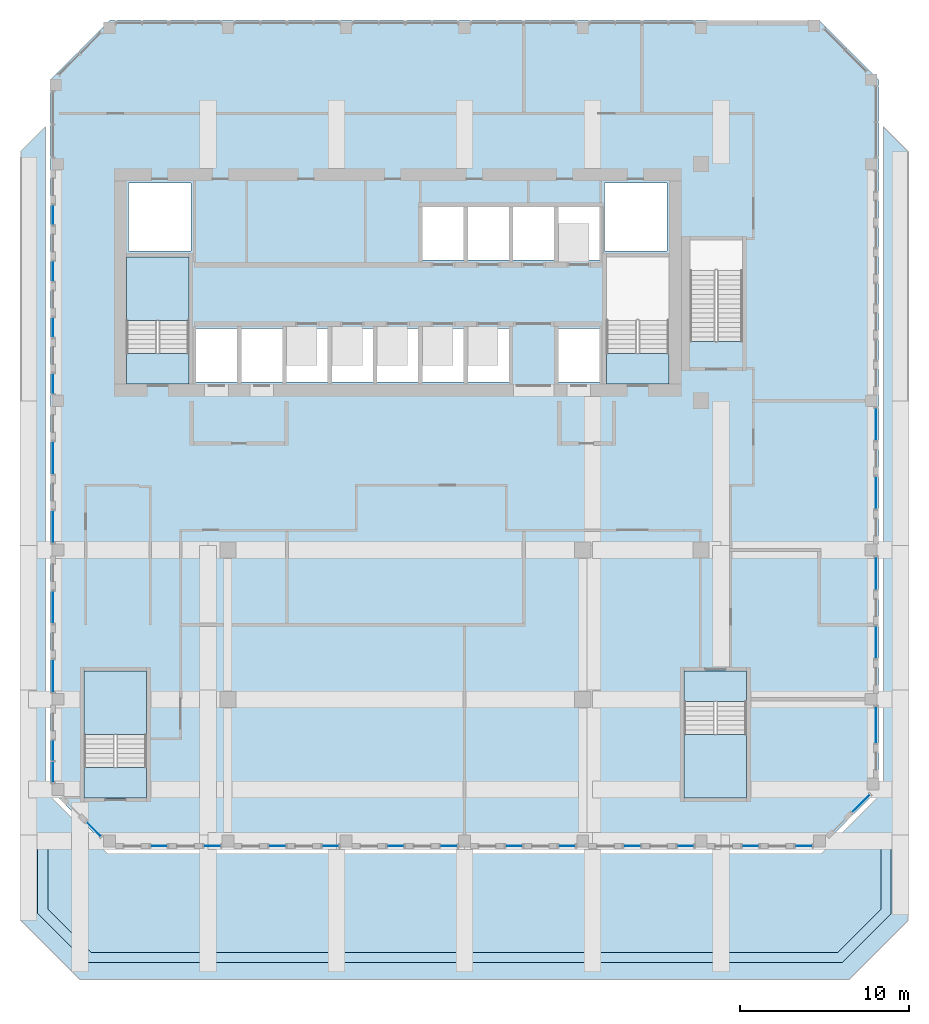
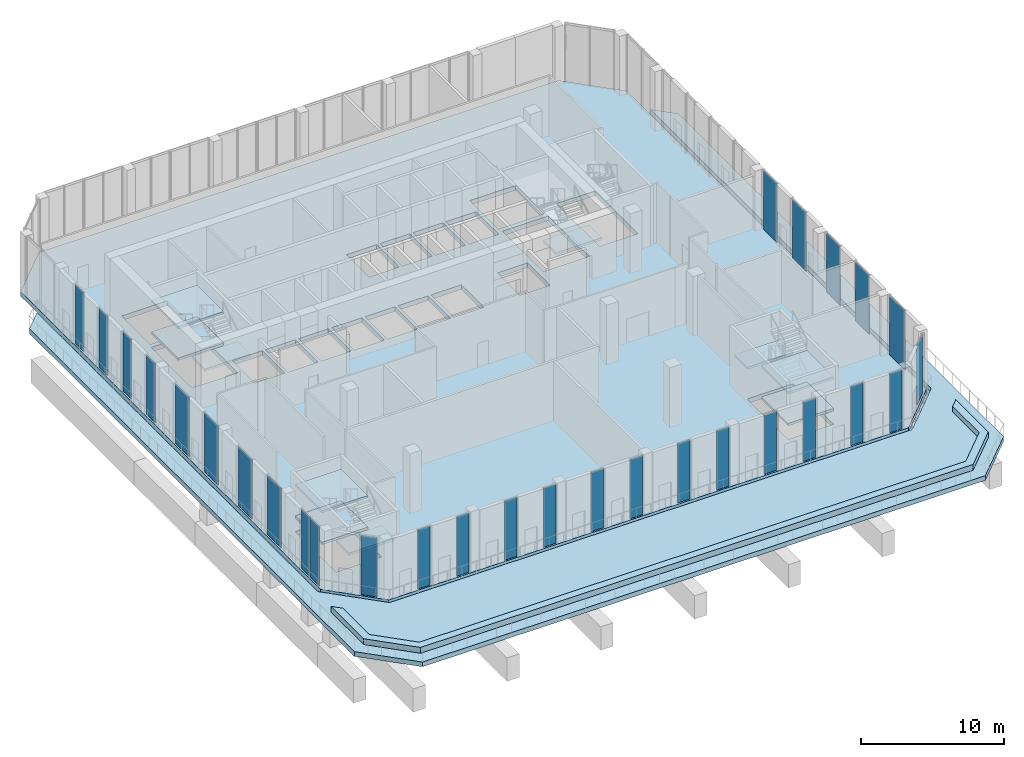
# One storey, part 7 of 18: 29 plates, 13 slabs, 32 elements without a shape of their own.
"""IFC4 building model written with IfcOpenShell, lengths in metres."""

from ifc_helpers import new_model, si_unit, direction, frame, origin, origin_2d, place, context, subcontext, project, spatial, polyline, rectangle, outline, extrude, source, transform, mapped, material, layer, layer_set, type_object, element, aggregate, save


model = new_model("IFC4")

# Units and contexts
model_context = context("Model", 3, precision=1e-05, world=origin(), true_north=direction((0.0, 1.0)))
body_context = subcontext(model_context, "Body", "Model", "MODEL_VIEW")
ifc_project = project(units=[si_unit("LENGTHUNIT", "METRE"), si_unit("AREAUNIT", "SQUARE_METRE"), si_unit("VOLUMEUNIT", "CUBIC_METRE"), si_unit("PLANEANGLEUNIT", "RADIAN"), si_unit("MASSUNIT", "GRAM", prefix="KILO")], contexts=[model_context])

# Site, building, storey
site_placement = place(None, origin())
site = spatial("IfcSite", under=ifc_project, at=site_placement, CompositionType="ELEMENT")
building_placement = place(site_placement, origin())
building = spatial("IfcBuilding", under=site, at=building_placement, Name="Kilnfold Tower and Market Hall", CompositionType="ELEMENT")
storey_placement = place(building_placement, frame((0.0, 0.0, 233.60009765625)))
storey = spatial("IfcBuildingStorey", under=building, at=storey_placement, Name="L56", CompositionType="ELEMENT", Elevation=233.60009765625)

# Slab
ifc_material_1 = material(Name="Concrete C45", Category="concrete")
ifc_layer_1 = layer(ifc_material_1, 0.39990234375)
ifc_layer_set_1 = layer_set([ifc_layer_1], Name="Concrete C45")
slab_type_1 = type_object("IfcSlabType", Name="FLOOR SLAB 400", PredefinedType="FLOOR", material=ifc_layer_set_1)
shared_shape_1 = source(origin(), body_context, "Body", "SweptSolid", [
    extrude(outline(polyline([(-16.0, -18.5), (26.0, -18.5), (29.5, -15.0), (29.5, 27.0), (26.0, 30.5), (-16.0, 30.5), (-19.5, 27.0), (-19.5, -15.0), (-16.0, -18.5)]), holes=[polyline([(-13.800537109375, -13.699462890625), (-17.49951171875, -13.699462890625), (-17.49951171875, -8.00048828125), (-13.800537109375, -8.00048828125), (-13.800537109375, -13.699462890625)]), polyline([(-14.99951171875, 10.800537109375), (-14.99951171875, 16.49951171875), (-11.300537109375, 16.49951171875), (-11.300537109375, 10.800537109375), (-14.99951171875, 10.800537109375)]), polyline([(-11.175048828125, 16.875), (-14.875, 16.875), (-14.875, 20.875), (-11.175048828125, 20.875), (-11.175048828125, 16.875)]), polyline([(-8.455078125, 9.125), (-10.885009765625, 9.125), (-10.885009765625, 12.27490234375), (-8.455078125, 12.27490234375), (-8.455078125, 9.125)]), polyline([(-5.77490234375, 9.125), (-8.205078125, 9.125), (-8.205078125, 12.27490234375), (-5.77490234375, 12.27490234375), (-5.77490234375, 9.125)]), polyline([(-3.094970703125, 9.125), (-5.52490234375, 9.125), (-5.52490234375, 12.27490234375), (-3.094970703125, 12.27490234375), (-3.094970703125, 9.125)]), polyline([(-0.4150390625, 9.125), (-2.844970703125, 9.125), (-2.844970703125, 12.27490234375), (-0.4150390625, 12.27490234375), (-0.4150390625, 9.125)]), polyline([(2.264892578125, 9.125), (-0.1650390625, 9.125), (-0.1650390625, 12.27490234375), (2.264892578125, 12.27490234375), (2.264892578125, 9.125)]), polyline([(4.945068359375, 9.125), (2.514892578125, 9.125), (2.514892578125, 12.27490234375), (4.945068359375, 12.27490234375), (4.945068359375, 9.125)]), polyline([(2.514892578125, 16.324951171875), (2.514892578125, 19.47509765625), (4.945068359375, 19.47509765625), (4.945068359375, 16.324951171875), (2.514892578125, 16.324951171875)]), polyline([(7.625, 9.125), (5.195068359375, 9.125), (5.195068359375, 12.27490234375), (7.625, 12.27490234375), (7.625, 9.125)]), polyline([(7.625, 16.324951171875), (5.195068359375, 16.324951171875), (5.195068359375, 19.47509765625), (7.625, 19.47509765625), (7.625, 16.324951171875)]), polyline([(10.304931640625, 16.324951171875), (7.875, 16.324951171875), (7.875, 19.47509765625), (10.304931640625, 19.47509765625), (10.304931640625, 16.324951171875)]), polyline([(10.554931640625, 9.125), (10.554931640625, 12.27490234375), (12.985107421875, 12.27490234375), (12.985107421875, 9.125), (10.554931640625, 9.125)]), polyline([(10.554931640625, 16.324951171875), (10.554931640625, 19.47509765625), (12.985107421875, 19.47509765625), (12.985107421875, 16.324951171875), (10.554931640625, 16.324951171875)]), polyline([(13.27490234375, 16.875), (13.27490234375, 20.875), (16.97509765625, 20.875), (16.97509765625, 16.875), (13.27490234375, 16.875)]), polyline([(13.400390625, 10.800537109375), (13.400390625, 16.49951171875), (17.099609375, 16.49951171875), (17.099609375, 10.800537109375), (13.400390625, 10.800537109375)]), polyline([(18.00048828125, -9.800537109375), (21.699462890625, -9.800537109375), (21.699462890625, -15.49951171875), (18.00048828125, -15.49951171875), (18.00048828125, -9.800537109375)]), polyline([(21.449462890625, 11.50048828125), (18.3505859375, 11.50048828125), (18.3505859375, 17.49951171875), (21.449462890625, 17.49951171875), (21.449462890625, 11.50048828125)])]), origin(), (0.0, 0.0, 1.0), 0.400146484375),
])
slab_1_placement = place(storey_placement, frame((0.0, 0.0, -0.400146484375)))
element("IfcSlab", 1, at=slab_1_placement, inside=storey, type_object=slab_type_1, Name="Floor slab L56", PredefinedType="FLOOR", context=body_context, shape_type="MappedRepresentation", body=[
    mapped(shared_shape_1, transform((0.0, 0.0, 0.0))),
])

# Curtain wall, plate
ifc_material_2 = material(Name="Aluminium and double glazing", Category="aluminium")
curtain_wall_type = type_object("IfcCurtainWallType", Name="CW SKY LOBBY GLAZING", PredefinedType="NOTDEFINED", material=ifc_material_2)
curtain_wall_1_placement = place(storey_placement, origin())
curtain_wall_1 = element("IfcCurtainWall", 2, at=curtain_wall_1_placement, inside=storey, type_object=curtain_wall_type, Name="Curtain wall CW3 L56 S", PredefinedType="NOTDEFINED")
ifc_material_3 = material(Name="Double glazed unit")
ifc_layer_2 = layer(ifc_material_3, 0.035888671875)
ifc_layer_set_2 = layer_set([ifc_layer_2], Name="Double glazed unit")
plate_type = type_object("IfcPlateType", Name="GLAZING PANEL 36", PredefinedType="CURTAIN_PANEL", material=ifc_layer_set_2)
shared_shape_2 = source(origin(), body_context, "Body", "SweptSolid", [
    extrude(rectangle(XDim=0.989990234375, YDim=0.035888671875, at=origin_2d()), origin(), (0.0, 0.0, 1.0), 5.0400390625),
])
plate_1_placement = place(storey_placement, frame((-13.074951171875, -18.35009765625, 0.0), z_axis=(0.0, 0.0, 1.0), x_axis=(1.0, 0.0, 0.0)))
plate_1 = element("IfcPlate", 3, at=plate_1_placement, type_object=plate_type, Name="CW3 panel 1.1", PredefinedType="CURTAIN_PANEL", context=body_context, shape_type="MappedRepresentation", body=[
    mapped(shared_shape_2, transform((0.0, 0.0, 0.0))),
])
aggregate(curtain_wall_1, [plate_1])

curtain_wall_2_placement = place(storey_placement, origin())
curtain_wall_2 = element("IfcCurtainWall", 4, at=curtain_wall_2_placement, inside=storey, type_object=curtain_wall_type, Name="Curtain wall CW3 L56 S", PredefinedType="NOTDEFINED")
plate_2_placement = place(storey_placement, frame((-9.925048828125, -18.35009765625, 0.0), z_axis=(0.0, 0.0, 1.0), x_axis=(1.0, 0.0, 0.0)))
plate_2 = element("IfcPlate", 5, at=plate_2_placement, type_object=plate_type, Name="CW3 panel 1.1", PredefinedType="CURTAIN_PANEL", context=body_context, shape_type="MappedRepresentation", body=[
    mapped(shared_shape_2, transform((0.0, 0.0, 0.0))),
])
aggregate(curtain_wall_2, [plate_2])

curtain_wall_3_placement = place(storey_placement, origin())
curtain_wall_3 = element("IfcCurtainWall", 6, at=curtain_wall_3_placement, inside=storey, type_object=curtain_wall_type, Name="Curtain wall CW3 L56 S", PredefinedType="NOTDEFINED")
plate_3_placement = place(storey_placement, frame((-6.074951171875, -18.35009765625, 0.0), z_axis=(0.0, 0.0, 1.0), x_axis=(1.0, 0.0, 0.0)))
plate_3 = element("IfcPlate", 7, at=plate_3_placement, type_object=plate_type, Name="CW3 panel 1.1", PredefinedType="CURTAIN_PANEL", context=body_context, shape_type="MappedRepresentation", body=[
    mapped(shared_shape_2, transform((0.0, 0.0, 0.0))),
])
aggregate(curtain_wall_3, [plate_3])

curtain_wall_4_placement = place(storey_placement, origin())
curtain_wall_4 = element("IfcCurtainWall", 8, at=curtain_wall_4_placement, inside=storey, type_object=curtain_wall_type, Name="Curtain wall CW3 L56 S", PredefinedType="NOTDEFINED")
plate_4_placement = place(storey_placement, frame((-2.925048828125, -18.35009765625, 0.0), z_axis=(0.0, 0.0, 1.0), x_axis=(1.0, 0.0, 0.0)))
plate_4 = element("IfcPlate", 9, at=plate_4_placement, type_object=plate_type, Name="CW3 panel 1.1", PredefinedType="CURTAIN_PANEL", context=body_context, shape_type="MappedRepresentation", body=[
    mapped(shared_shape_2, transform((0.0, 0.0, 0.0))),
])
aggregate(curtain_wall_4, [plate_4])

curtain_wall_5_placement = place(storey_placement, origin())
curtain_wall_5 = element("IfcCurtainWall", 10, at=curtain_wall_5_placement, inside=storey, type_object=curtain_wall_type, Name="Curtain wall CW3 L56 S", PredefinedType="NOTDEFINED")
plate_5_placement = place(storey_placement, frame((0.925048828125, -18.35009765625, 0.0), z_axis=(0.0, 0.0, 1.0), x_axis=(1.0, 0.0, 0.0)))
plate_5 = element("IfcPlate", 11, at=plate_5_placement, type_object=plate_type, Name="CW3 panel 1.1", PredefinedType="CURTAIN_PANEL", context=body_context, shape_type="MappedRepresentation", body=[
    mapped(shared_shape_2, transform((0.0, 0.0, 0.0))),
])
aggregate(curtain_wall_5, [plate_5])

curtain_wall_6_placement = place(storey_placement, origin())
curtain_wall_6 = element("IfcCurtainWall", 12, at=curtain_wall_6_placement, inside=storey, type_object=curtain_wall_type, Name="Curtain wall CW3 L56 S", PredefinedType="NOTDEFINED")
plate_6_placement = place(storey_placement, frame((4.074951171875, -18.35009765625, 0.0), z_axis=(0.0, 0.0, 1.0), x_axis=(1.0, 0.0, 0.0)))
plate_6 = element("IfcPlate", 13, at=plate_6_placement, type_object=plate_type, Name="CW3 panel 1.1", PredefinedType="CURTAIN_PANEL", context=body_context, shape_type="MappedRepresentation", body=[
    mapped(shared_shape_2, transform((0.0, 0.0, 0.0))),
])
aggregate(curtain_wall_6, [plate_6])

curtain_wall_7_placement = place(storey_placement, origin())
curtain_wall_7 = element("IfcCurtainWall", 14, at=curtain_wall_7_placement, inside=storey, type_object=curtain_wall_type, Name="Curtain wall CW3 L56 S", PredefinedType="NOTDEFINED")
plate_7_placement = place(storey_placement, frame((7.925048828125, -18.35009765625, 0.0), z_axis=(0.0, 0.0, 1.0), x_axis=(1.0, 0.0, 0.0)))
plate_7 = element("IfcPlate", 15, at=plate_7_placement, type_object=plate_type, Name="CW3 panel 1.1", PredefinedType="CURTAIN_PANEL", context=body_context, shape_type="MappedRepresentation", body=[
    mapped(shared_shape_2, transform((0.0, 0.0, 0.0))),
])
aggregate(curtain_wall_7, [plate_7])

curtain_wall_8_placement = place(storey_placement, origin())
curtain_wall_8 = element("IfcCurtainWall", 16, at=curtain_wall_8_placement, inside=storey, type_object=curtain_wall_type, Name="Curtain wall CW3 L56 S", PredefinedType="NOTDEFINED")
plate_8_placement = place(storey_placement, frame((11.074951171875, -18.35009765625, 0.0), z_axis=(0.0, 0.0, 1.0), x_axis=(1.0, 0.0, 0.0)))
plate_8 = element("IfcPlate", 17, at=plate_8_placement, type_object=plate_type, Name="CW3 panel 1.1", PredefinedType="CURTAIN_PANEL", context=body_context, shape_type="MappedRepresentation", body=[
    mapped(shared_shape_2, transform((0.0, 0.0, 0.0))),
])
aggregate(curtain_wall_8, [plate_8])

curtain_wall_9_placement = place(storey_placement, origin())
curtain_wall_9 = element("IfcCurtainWall", 18, at=curtain_wall_9_placement, inside=storey, type_object=curtain_wall_type, Name="Curtain wall CW3 L56 S", PredefinedType="NOTDEFINED")
plate_9_placement = place(storey_placement, frame((14.925048828125, -18.35009765625, 0.0), z_axis=(0.0, 0.0, 1.0), x_axis=(1.0, 0.0, 0.0)))
plate_9 = element("IfcPlate", 19, at=plate_9_placement, type_object=plate_type, Name="CW3 panel 1.1", PredefinedType="CURTAIN_PANEL", context=body_context, shape_type="MappedRepresentation", body=[
    mapped(shared_shape_2, transform((0.0, 0.0, 0.0))),
])
aggregate(curtain_wall_9, [plate_9])

curtain_wall_10_placement = place(storey_placement, origin())
curtain_wall_10 = element("IfcCurtainWall", 20, at=curtain_wall_10_placement, inside=storey, type_object=curtain_wall_type, Name="Curtain wall CW3 L56 S", PredefinedType="NOTDEFINED")
plate_10_placement = place(storey_placement, frame((18.074951171875, -18.35009765625, 0.0), z_axis=(0.0, 0.0, 1.0), x_axis=(1.0, 0.0, 0.0)))
plate_10 = element("IfcPlate", 21, at=plate_10_placement, type_object=plate_type, Name="CW3 panel 1.1", PredefinedType="CURTAIN_PANEL", context=body_context, shape_type="MappedRepresentation", body=[
    mapped(shared_shape_2, transform((0.0, 0.0, 0.0))),
])
aggregate(curtain_wall_10, [plate_10])

curtain_wall_11_placement = place(storey_placement, origin())
curtain_wall_11 = element("IfcCurtainWall", 22, at=curtain_wall_11_placement, inside=storey, type_object=curtain_wall_type, Name="Curtain wall CW3 L56 S", PredefinedType="NOTDEFINED")
plate_11_placement = place(storey_placement, frame((21.925048828125, -18.35009765625, 0.0), z_axis=(0.0, 0.0, 1.0), x_axis=(1.0, 0.0, 0.0)))
plate_11 = element("IfcPlate", 23, at=plate_11_placement, type_object=plate_type, Name="CW3 panel 1.1", PredefinedType="CURTAIN_PANEL", context=body_context, shape_type="MappedRepresentation", body=[
    mapped(shared_shape_2, transform((0.0, 0.0, 0.0))),
])
aggregate(curtain_wall_11, [plate_11])

curtain_wall_12_placement = place(storey_placement, origin())
curtain_wall_12 = element("IfcCurtainWall", 24, at=curtain_wall_12_placement, inside=storey, type_object=curtain_wall_type, Name="Curtain wall CW3 L56 S", PredefinedType="NOTDEFINED")
plate_12_placement = place(storey_placement, frame((25.074951171875, -18.35009765625, 0.0), z_axis=(0.0, 0.0, 1.0), x_axis=(1.0, 0.0, 0.0)))
plate_12 = element("IfcPlate", 25, at=plate_12_placement, type_object=plate_type, Name="CW3 panel 1.1", PredefinedType="CURTAIN_PANEL", context=body_context, shape_type="MappedRepresentation", body=[
    mapped(shared_shape_2, transform((0.0, 0.0, 0.0))),
])
aggregate(curtain_wall_12, [plate_12])

curtain_wall_13_placement = place(storey_placement, origin())
curtain_wall_13 = element("IfcCurtainWall", 26, at=curtain_wall_13_placement, inside=storey, type_object=curtain_wall_type, Name="Curtain wall CW3 L56 SE", PredefinedType="NOTDEFINED")
shared_shape_3 = source(origin(), body_context, "Body", "SweptSolid", [
    extrude(rectangle(XDim=1.481689453125, YDim=0.035888671875, at=origin_2d()), origin(), (0.0, 0.0, 1.0), 5.0400390625),
])
plate_13_placement = place(storey_placement, frame((28.463623046875, -15.82421875, 0.0), z_axis=(0.0, 0.0, 1.0), x_axis=(0.707106781187, 0.707106781187, 0.0)))
plate_13 = element("IfcPlate", 27, at=plate_13_placement, type_object=plate_type, Name="CW3 panel 1.1", PredefinedType="CURTAIN_PANEL", context=body_context, shape_type="MappedRepresentation", body=[
    mapped(shared_shape_3, transform((0.0, 0.0, 0.0))),
])
aggregate(curtain_wall_13, [plate_13])

curtain_wall_14_placement = place(storey_placement, origin())
curtain_wall_14 = element("IfcCurtainWall", 28, at=curtain_wall_14_placement, inside=storey, type_object=curtain_wall_type, Name="Curtain wall CW3 L56 E", PredefinedType="NOTDEFINED")
shared_shape_4 = source(origin(), body_context, "Body", "SweptSolid", [
    extrude(rectangle(XDim=2.155029296875, YDim=0.035888671875, at=origin_2d()), origin(), (0.0, 0.0, 1.0), 5.0400390625),
])
plate_14_placement = place(storey_placement, frame((29.35009765625, -11.17431640625, 0.0), z_axis=(0.0, 0.0, 1.0), x_axis=(0.0, 1.0, 0.0)))
plate_14 = element("IfcPlate", 29, at=plate_14_placement, type_object=plate_type, Name="CW3 panel 1.1", PredefinedType="CURTAIN_PANEL", context=body_context, shape_type="MappedRepresentation", body=[
    mapped(shared_shape_4, transform((0.0, 0.0, 0.0))),
])
aggregate(curtain_wall_14, [plate_14])

curtain_wall_15_placement = place(storey_placement, origin())
curtain_wall_15 = element("IfcCurtainWall", 30, at=curtain_wall_15_placement, inside=storey, type_object=curtain_wall_type, Name="Curtain wall CW3 L56 E", PredefinedType="NOTDEFINED")
shared_shape_5 = source(origin(), body_context, "Body", "SweptSolid", [
    extrude(rectangle(XDim=1.90673828125, YDim=0.035888671875, at=origin_2d()), origin(), (0.0, 0.0, 1.0), 5.0400390625),
])
plate_15_placement = place(storey_placement, frame((29.35009765625, -6.283447265625, 0.0), z_axis=(0.0, 0.0, 1.0), x_axis=(0.0, 1.0, 0.0)))
plate_15 = element("IfcPlate", 31, at=plate_15_placement, type_object=plate_type, Name="CW3 panel 1.1", PredefinedType="CURTAIN_PANEL", context=body_context, shape_type="MappedRepresentation", body=[
    mapped(shared_shape_5, transform((0.0, 0.0, 0.0))),
])
aggregate(curtain_wall_15, [plate_15])

curtain_wall_16_placement = place(storey_placement, origin())
curtain_wall_16 = element("IfcCurtainWall", 32, at=curtain_wall_16_placement, inside=storey, type_object=curtain_wall_type, Name="Curtain wall CW3 L56 E", PredefinedType="NOTDEFINED")
plate_16_placement = place(storey_placement, frame((29.35009765625, -2.216552734375, 0.0), z_axis=(0.0, 0.0, 1.0), x_axis=(0.0, 1.0, 0.0)))
plate_16 = element("IfcPlate", 33, at=plate_16_placement, type_object=plate_type, Name="CW3 panel 1.1", PredefinedType="CURTAIN_PANEL", context=body_context, shape_type="MappedRepresentation", body=[
    mapped(shared_shape_5, transform((0.0, 0.0, 0.0))),
])
aggregate(curtain_wall_16, [plate_16])

curtain_wall_17_placement = place(storey_placement, origin())
curtain_wall_17 = element("IfcCurtainWall", 34, at=curtain_wall_17_placement, inside=storey, type_object=curtain_wall_type, Name="Curtain wall CW3 L56 E", PredefinedType="NOTDEFINED")
plate_17_placement = place(storey_placement, frame((29.35009765625, 6.61669921875, 0.0), z_axis=(0.0, 0.0, 1.0), x_axis=(0.0, 1.0, 0.0)))
plate_17 = element("IfcPlate", 35, at=plate_17_placement, type_object=plate_type, Name="CW3 panel 1.1", PredefinedType="CURTAIN_PANEL", context=body_context, shape_type="MappedRepresentation", body=[
    mapped(shared_shape_5, transform((0.0, 0.0, 0.0))),
])
aggregate(curtain_wall_17, [plate_17])

curtain_wall_18_placement = place(storey_placement, origin())
curtain_wall_18 = element("IfcCurtainWall", 36, at=curtain_wall_18_placement, inside=storey, type_object=curtain_wall_type, Name="Curtain wall CW3 L56 W", PredefinedType="NOTDEFINED")
plate_18_placement = place(storey_placement, frame((-19.35009765625, 4.61669921875, 0.0), z_axis=(0.0, 0.0, 1.0), x_axis=(0.0, -1.0, 0.0)))
plate_18 = element("IfcPlate", 37, at=plate_18_placement, type_object=plate_type, Name="CW3 panel 1.1", PredefinedType="CURTAIN_PANEL", context=body_context, shape_type="MappedRepresentation", body=[
    mapped(shared_shape_5, transform((0.0, 0.0, 0.0))),
])
aggregate(curtain_wall_18, [plate_18])

curtain_wall_19_placement = place(storey_placement, origin())
curtain_wall_19 = element("IfcCurtainWall", 38, at=curtain_wall_19_placement, inside=storey, type_object=curtain_wall_type, Name="Curtain wall CW3 L56 W", PredefinedType="NOTDEFINED")
plate_19_placement = place(storey_placement, frame((-19.35009765625, -4.216552734375, 0.0), z_axis=(0.0, 0.0, 1.0), x_axis=(0.0, -1.0, 0.0)))
plate_19 = element("IfcPlate", 39, at=plate_19_placement, type_object=plate_type, Name="CW3 panel 1.1", PredefinedType="CURTAIN_PANEL", context=body_context, shape_type="MappedRepresentation", body=[
    mapped(shared_shape_5, transform((0.0, 0.0, 0.0))),
])
aggregate(curtain_wall_19, [plate_19])

curtain_wall_20_placement = place(storey_placement, origin())
curtain_wall_20 = element("IfcCurtainWall", 40, at=curtain_wall_20_placement, inside=storey, type_object=curtain_wall_type, Name="Curtain wall CW3 L56 W", PredefinedType="NOTDEFINED")
plate_20_placement = place(storey_placement, frame((-19.35009765625, -8.283447265625, 0.0), z_axis=(0.0, 0.0, 1.0), x_axis=(0.0, -1.0, 0.0)))
plate_20 = element("IfcPlate", 41, at=plate_20_placement, type_object=plate_type, Name="CW3 panel 1.1", PredefinedType="CURTAIN_PANEL", context=body_context, shape_type="MappedRepresentation", body=[
    mapped(shared_shape_5, transform((0.0, 0.0, 0.0))),
])
aggregate(curtain_wall_20, [plate_20])

curtain_wall_21_placement = place(storey_placement, origin())
curtain_wall_21 = element("IfcCurtainWall", 42, at=curtain_wall_21_placement, inside=storey, type_object=curtain_wall_type, Name="Curtain wall CW3 L56 E", PredefinedType="NOTDEFINED")
shared_shape_6 = source(origin(), body_context, "Body", "SweptSolid", [
    extrude(rectangle(XDim=1.906494140625, YDim=0.035888671875, at=origin_2d()), origin(), (0.0, 0.0, 1.0), 5.0400390625),
])
plate_21_placement = place(storey_placement, frame((29.35009765625, 2.550048828125, 0.0), z_axis=(0.0, 0.0, 1.0), x_axis=(0.0, 1.0, 0.0)))
plate_21 = element("IfcPlate", 43, at=plate_21_placement, type_object=plate_type, Name="CW3 panel 1.1", PredefinedType="CURTAIN_PANEL", context=body_context, shape_type="MappedRepresentation", body=[
    mapped(shared_shape_6, transform((0.0, 0.0, 0.0))),
])
aggregate(curtain_wall_21, [plate_21])

curtain_wall_22_placement = place(storey_placement, origin())
curtain_wall_22 = element("IfcCurtainWall", 44, at=curtain_wall_22_placement, inside=storey, type_object=curtain_wall_type, Name="Curtain wall CW3 L56 W", PredefinedType="NOTDEFINED")
plate_22_placement = place(storey_placement, frame((-19.35009765625, 0.550048828125, 0.0), z_axis=(0.0, 0.0, 1.0), x_axis=(0.0, -1.0, 0.0)))
plate_22 = element("IfcPlate", 45, at=plate_22_placement, type_object=plate_type, Name="CW3 panel 1.1", PredefinedType="CURTAIN_PANEL", context=body_context, shape_type="MappedRepresentation", body=[
    mapped(shared_shape_6, transform((0.0, 0.0, 0.0))),
])
aggregate(curtain_wall_22, [plate_22])

curtain_wall_23_placement = place(storey_placement, origin())
curtain_wall_23 = element("IfcCurtainWall", 46, at=curtain_wall_23_placement, inside=storey, type_object=curtain_wall_type, Name="Curtain wall CW3 L56 W", PredefinedType="NOTDEFINED")
shared_shape_7 = source(origin(), body_context, "Body", "SweptSolid", [
    extrude(rectangle(XDim=1.1650390625, YDim=0.035888671875, at=origin_2d()), origin(), (0.0, 0.0, 1.0), 5.0400390625),
])
plate_23_placement = place(storey_placement, frame((-19.35009765625, 18.987548828125, 0.0), z_axis=(0.0, 0.0, 1.0), x_axis=(0.0, -1.0, 0.0)))
plate_23 = element("IfcPlate", 47, at=plate_23_placement, type_object=plate_type, Name="CW3 panel 1.1", PredefinedType="CURTAIN_PANEL", context=body_context, shape_type="MappedRepresentation", body=[
    mapped(shared_shape_7, transform((0.0, 0.0, 0.0))),
])
aggregate(curtain_wall_23, [plate_23])

curtain_wall_24_placement = place(storey_placement, origin())
curtain_wall_24 = element("IfcCurtainWall", 48, at=curtain_wall_24_placement, inside=storey, type_object=curtain_wall_type, Name="Curtain wall CW3 L56 W", PredefinedType="NOTDEFINED")
plate_24_placement = place(storey_placement, frame((-19.35009765625, 15.66259765625, 0.0), z_axis=(0.0, 0.0, 1.0), x_axis=(0.0, -1.0, 0.0)))
plate_24 = element("IfcPlate", 49, at=plate_24_placement, type_object=plate_type, Name="CW3 panel 1.1", PredefinedType="CURTAIN_PANEL", context=body_context, shape_type="MappedRepresentation", body=[
    mapped(shared_shape_7, transform((0.0, 0.0, 0.0))),
])
aggregate(curtain_wall_24, [plate_24])

curtain_wall_25_placement = place(storey_placement, origin())
curtain_wall_25 = element("IfcCurtainWall", 50, at=curtain_wall_25_placement, inside=storey, type_object=curtain_wall_type, Name="Curtain wall CW3 L56 W", PredefinedType="NOTDEFINED")
plate_25_placement = place(storey_placement, frame((-19.35009765625, 12.33740234375, 0.0), z_axis=(0.0, 0.0, 1.0), x_axis=(0.0, -1.0, 0.0)))
plate_25 = element("IfcPlate", 51, at=plate_25_placement, type_object=plate_type, Name="CW3 panel 1.1", PredefinedType="CURTAIN_PANEL", context=body_context, shape_type="MappedRepresentation", body=[
    mapped(shared_shape_7, transform((0.0, 0.0, 0.0))),
])
aggregate(curtain_wall_25, [plate_25])

curtain_wall_26_placement = place(storey_placement, origin())
curtain_wall_26 = element("IfcCurtainWall", 52, at=curtain_wall_26_placement, inside=storey, type_object=curtain_wall_type, Name="Curtain wall CW3 L56 W", PredefinedType="NOTDEFINED")
plate_26_placement = place(storey_placement, frame((-19.35009765625, 9.012451171875, 0.0), z_axis=(0.0, 0.0, 1.0), x_axis=(0.0, -1.0, 0.0)))
plate_26 = element("IfcPlate", 53, at=plate_26_placement, type_object=plate_type, Name="CW3 panel 1.1", PredefinedType="CURTAIN_PANEL", context=body_context, shape_type="MappedRepresentation", body=[
    mapped(shared_shape_7, transform((0.0, 0.0, 0.0))),
])
aggregate(curtain_wall_26, [plate_26])

# Curtain wall, plates
curtain_wall_27_placement = place(storey_placement, origin())
curtain_wall_27 = element("IfcCurtainWall", 54, at=curtain_wall_27_placement, inside=storey, type_object=curtain_wall_type, Name="Curtain wall CW3 L56 W", PredefinedType="NOTDEFINED")
shared_shape_8 = source(origin(), body_context, "Body", "SweptSolid", [
    extrude(rectangle(XDim=1.196533203125, YDim=0.035888671875, at=origin_2d()), origin(), (0.0, 0.0, 1.0), 5.0400390625),
])
plate_27_placement = place(storey_placement, frame((-19.35009765625, -12.695068359375, 0.0), z_axis=(0.0, 0.0, 1.0), x_axis=(0.0, -1.0, 0.0)))
plate_27 = element("IfcPlate", 55, at=plate_27_placement, type_object=plate_type, Name="CW3 panel 1.1", PredefinedType="CURTAIN_PANEL", context=body_context, shape_type="MappedRepresentation", body=[
    mapped(shared_shape_8, transform((0.0, 0.0, 0.0))),
])
plate_28_placement = place(storey_placement, frame((-19.35009765625, -13.9716796875, 0.0), z_axis=(0.0, 0.0, 1.0), x_axis=(0.0, -1.0, 0.0)))
plate_28 = element("IfcPlate", 56, at=plate_28_placement, type_object=plate_type, Name="CW3 panel 2.1", PredefinedType="CURTAIN_PANEL", context=body_context, shape_type="MappedRepresentation", body=[
    mapped(shared_shape_8, transform((0.0, 0.0, 0.0))),
])
aggregate(curtain_wall_27, [plate_27, plate_28])

# Curtain wall, plate
curtain_wall_28_placement = place(storey_placement, origin())
curtain_wall_28 = element("IfcCurtainWall", 57, at=curtain_wall_28_placement, inside=storey, type_object=curtain_wall_type, Name="Curtain wall CW3 L56 SW", PredefinedType="NOTDEFINED")
shared_shape_9 = source(origin(), body_context, "Body", "SweptSolid", [
    extrude(rectangle(XDim=1.163330078125, YDim=0.035888671875, at=origin_2d()), origin(), (0.0, 0.0, 1.0), 5.0400390625),
])
plate_29_placement = place(storey_placement, frame((-16.936767578125, -17.35107421875, 0.0), z_axis=(0.0, 0.0, 1.0), x_axis=(0.707106781187, -0.707106781187, 0.0)))
plate_29 = element("IfcPlate", 58, at=plate_29_placement, type_object=plate_type, Name="CW3 panel 1.1", PredefinedType="CURTAIN_PANEL", context=body_context, shape_type="MappedRepresentation", body=[
    mapped(shared_shape_9, transform((0.0, 0.0, 0.0))),
])
aggregate(curtain_wall_28, [plate_29])

# Slabs
ifc_material_4 = material(Name="Concrete C40/50", Category="concrete")
ifc_layer_3 = layer(ifc_material_4, 0.39990234375)
ifc_layer_set_3 = layer_set([ifc_layer_3], Name="Concrete C40/50")
slab_type_2 = type_object("IfcSlabType", Name="TOWER TERRACE SLAB 400", PredefinedType="ROOF", material=ifc_layer_set_3)
shared_shape_10 = source(origin(), body_context, "Body", "SweptSolid", [
    extrude(outline(polyline([(31.25, 22.75), (31.25, -22.75), (27.75, -26.25), (-17.75, -26.25), (-21.25, -22.75), (-21.25, 22.75), (-19.800048828125, 24.199951171875), (-19.800048828125, -15.124267578125), (-16.124267578125, -18.800048828125), (26.124267578125, -18.800048828125), (29.800048828125, -15.124267578125), (29.800048828125, 24.199951171875), (31.25, 22.75)])), origin(), (0.0, 0.0, 1.0), 0.400146484375),
])
slab_2_placement = place(storey_placement, frame((0.0, 0.0, -0.400146484375)))
element("IfcSlab", 59, at=slab_2_placement, inside=storey, type_object=slab_type_2, Name="Terrace slab L56 1", PredefinedType="ROOF", context=body_context, shape_type="MappedRepresentation", body=[
    mapped(shared_shape_10, transform((0.0, 0.0, 0.0))),
])
ifc_material_5 = material(Name="Concrete C40/50", Category="concrete")
ifc_layer_4 = layer(ifc_material_5, 0.5)
ifc_layer_set_4 = layer_set([ifc_layer_4], Name="Concrete C40/50")
slab_type_3 = type_object("IfcSlabType", Name="PLANTER BED 500", PredefinedType="ROOF", material=ifc_layer_set_4)
shared_shape_11 = source(origin(), body_context, "Body", "SweptSolid", [
    extrude(outline(polyline([(30.25, -22.335693359375), (27.335693359375, -25.25), (-17.335693359375, -25.25), (-20.25, -22.335693359375), (-20.25, -17.785400390625), (-19.64990234375, -18.385498046875), (-19.64990234375, -22.08740234375), (-17.08740234375, -24.64990234375), (27.08740234375, -24.64990234375), (29.64990234375, -22.08740234375), (29.64990234375, -18.385498046875), (30.25, -17.785400390625), (30.25, -22.335693359375)])), origin(), (0.0, 0.0, 1.0), 0.5),
])
slab_3_placement = place(storey_placement, origin())
element("IfcSlab", 60, at=slab_3_placement, inside=storey, type_object=slab_type_3, Name="Planter bed L56 1.1", PredefinedType="ROOF", context=body_context, shape_type="MappedRepresentation", body=[
    mapped(shared_shape_11, transform((0.0, 0.0, 0.0))),
])

# Stair, slabs
ifc_material_6 = material(Name="Concrete C40/50", Category="concrete")
stair_type = type_object("IfcStairType", Name="CORE STAIR 1800", PredefinedType="HALF_TURN_STAIR", material=ifc_material_6)
stair_1_placement = place(storey_placement, origin())
stair_1 = element("IfcStair", 61, at=stair_1_placement, inside=storey, type_object=stair_type, Name="L56 ST1", PredefinedType="HALF_TURN_STAIR")
ifc_material_7 = material(Name="Concrete C40/50", Category="concrete")
ifc_layer_5 = layer(ifc_material_7, 0.199951171875)
ifc_layer_set_5 = layer_set([ifc_layer_5], Name="Concrete C40/50")
slab_type_4 = type_object("IfcSlabType", Name="CORE STAIR LANDING 200", PredefinedType="LANDING", material=ifc_layer_set_5)
shared_shape_12 = source(origin(), body_context, "Body", "SweptSolid", [
    extrude(outline(polyline([(-11.300048828125, 9.0), (-11.300048828125, 10.800048828125), (-15.0, 10.800048828125), (-15.0, 9.0), (-11.300048828125, 9.0)])), origin(), (0.0, 0.0, 1.0), 0.199951171875),
])
slab_4_placement = place(storey_placement, frame((0.0, 0.0, 2.5)))
slab_4 = element("IfcSlab", 62, at=slab_4_placement, type_object=slab_type_4, Name="ST1 landing 2", PredefinedType="LANDING", context=body_context, shape_type="MappedRepresentation", body=[
    mapped(shared_shape_12, transform((0.0, 0.0, 0.0))),
])
shared_shape_13 = source(origin(), body_context, "Body", "SweptSolid", [
    extrude(outline(polyline([(-11.300048828125, 12.760009765625), (-11.300048828125, 16.5), (-15.0, 16.5), (-15.0, 12.760009765625), (-11.300048828125, 12.760009765625)])), origin(), (0.0, 0.0, 1.0), 0.199951171875),
])
slab_5_placement = place(storey_placement, frame((0.0, 0.0, 1.14990234375)))
slab_5 = element("IfcSlab", 63, at=slab_5_placement, type_object=slab_type_4, Name="ST1 landing 1", PredefinedType="LANDING", context=body_context, shape_type="MappedRepresentation", body=[
    mapped(shared_shape_13, transform((0.0, 0.0, 0.0))),
])
slab_6_placement = place(storey_placement, frame((0.0, 0.0, 3.849853515625)))
slab_6 = element("IfcSlab", 64, at=slab_6_placement, type_object=slab_type_4, Name="ST1 landing 3", PredefinedType="LANDING", context=body_context, shape_type="MappedRepresentation", body=[
    mapped(shared_shape_13, transform((0.0, 0.0, 0.0))),
])
aggregate(stair_1, [slab_5, slab_4, slab_6])

# Stair, slab
stair_2_placement = place(storey_placement, origin())
stair_2 = element("IfcStair", 65, at=stair_2_placement, inside=storey, type_object=stair_type, Name="L56 ST2", PredefinedType="HALF_TURN_STAIR")
shared_shape_14 = source(origin(), body_context, "Body", "SweptSolid", [
    extrude(outline(polyline([(17.10009765625, 9.0), (17.10009765625, 10.800048828125), (13.39990234375, 10.800048828125), (13.39990234375, 9.0), (17.10009765625, 9.0)])), origin(), (0.0, 0.0, 1.0), 0.199951171875),
])
slab_7_placement = place(storey_placement, frame((0.0, 0.0, 2.5)))
slab_7 = element("IfcSlab", 66, at=slab_7_placement, type_object=slab_type_4, Name="ST2 landing 2", PredefinedType="LANDING", context=body_context, shape_type="MappedRepresentation", body=[
    mapped(shared_shape_14, transform((0.0, 0.0, 0.0))),
])
aggregate(stair_2, [slab_7])

# Stair, slabs
stair_3_placement = place(storey_placement, origin())
stair_3 = element("IfcStair", 67, at=stair_3_placement, inside=storey, type_object=stair_type, Name="L56 ST3", PredefinedType="HALF_TURN_STAIR")
shared_shape_15 = source(origin(), body_context, "Body", "SweptSolid", [
    extrude(outline(polyline([(-13.800048828125, -15.5), (-13.800048828125, -13.699951171875), (-17.5, -13.699951171875), (-17.5, -15.5), (-13.800048828125, -15.5)])), origin(), (0.0, 0.0, 1.0), 0.199951171875),
])
slab_8_placement = place(storey_placement, frame((0.0, 0.0, 2.5)))
slab_8 = element("IfcSlab", 68, at=slab_8_placement, type_object=slab_type_4, Name="ST3 landing 2", PredefinedType="LANDING", context=body_context, shape_type="MappedRepresentation", body=[
    mapped(shared_shape_15, transform((0.0, 0.0, 0.0))),
])
shared_shape_16 = source(origin(), body_context, "Body", "SweptSolid", [
    extrude(outline(polyline([(-13.800048828125, -11.739990234375), (-13.800048828125, -8.0), (-17.5, -8.0), (-17.5, -11.739990234375), (-13.800048828125, -11.739990234375)])), origin(), (0.0, 0.0, 1.0), 0.199951171875),
])
slab_9_placement = place(storey_placement, frame((0.0, 0.0, 1.14990234375)))
slab_9 = element("IfcSlab", 69, at=slab_9_placement, type_object=slab_type_4, Name="ST3 landing 1", PredefinedType="LANDING", context=body_context, shape_type="MappedRepresentation", body=[
    mapped(shared_shape_16, transform((0.0, 0.0, 0.0))),
])
slab_10_placement = place(storey_placement, frame((0.0, 0.0, 3.849853515625)))
slab_10 = element("IfcSlab", 70, at=slab_10_placement, type_object=slab_type_4, Name="ST3 landing 3", PredefinedType="LANDING", context=body_context, shape_type="MappedRepresentation", body=[
    mapped(shared_shape_16, transform((0.0, 0.0, 0.0))),
])
aggregate(stair_3, [slab_9, slab_8, slab_10])

stair_4_placement = place(storey_placement, origin())
stair_4 = element("IfcStair", 71, at=stair_4_placement, inside=storey, type_object=stair_type, Name="L56 ST4", PredefinedType="HALF_TURN_STAIR")
shared_shape_17 = source(origin(), body_context, "Body", "SweptSolid", [
    extrude(outline(polyline([(18.0, -8.0), (18.0, -9.800048828125), (21.699951171875, -9.800048828125), (21.699951171875, -8.0), (18.0, -8.0)])), origin(), (0.0, 0.0, 1.0), 0.199951171875),
])
slab_11_placement = place(storey_placement, frame((0.0, 0.0, 2.5)))
slab_11 = element("IfcSlab", 72, at=slab_11_placement, type_object=slab_type_4, Name="ST4 landing 2", PredefinedType="LANDING", context=body_context, shape_type="MappedRepresentation", body=[
    mapped(shared_shape_17, transform((0.0, 0.0, 0.0))),
])
shared_shape_18 = source(origin(), body_context, "Body", "SweptSolid", [
    extrude(outline(polyline([(18.0, -11.760009765625), (18.0, -15.5), (21.699951171875, -15.5), (21.699951171875, -11.760009765625), (18.0, -11.760009765625)])), origin(), (0.0, 0.0, 1.0), 0.199951171875),
])
slab_12_placement = place(storey_placement, frame((0.0, 0.0, 1.14990234375)))
slab_12 = element("IfcSlab", 73, at=slab_12_placement, type_object=slab_type_4, Name="ST4 landing 1", PredefinedType="LANDING", context=body_context, shape_type="MappedRepresentation", body=[
    mapped(shared_shape_18, transform((0.0, 0.0, 0.0))),
])
slab_13_placement = place(storey_placement, frame((0.0, 0.0, 3.849853515625)))
slab_13 = element("IfcSlab", 74, at=slab_13_placement, type_object=slab_type_4, Name="ST4 landing 3", PredefinedType="LANDING", context=body_context, shape_type="MappedRepresentation", body=[
    mapped(shared_shape_18, transform((0.0, 0.0, 0.0))),
])
aggregate(stair_4, [slab_12, slab_11, slab_13])

save(model, "model.ifc")
